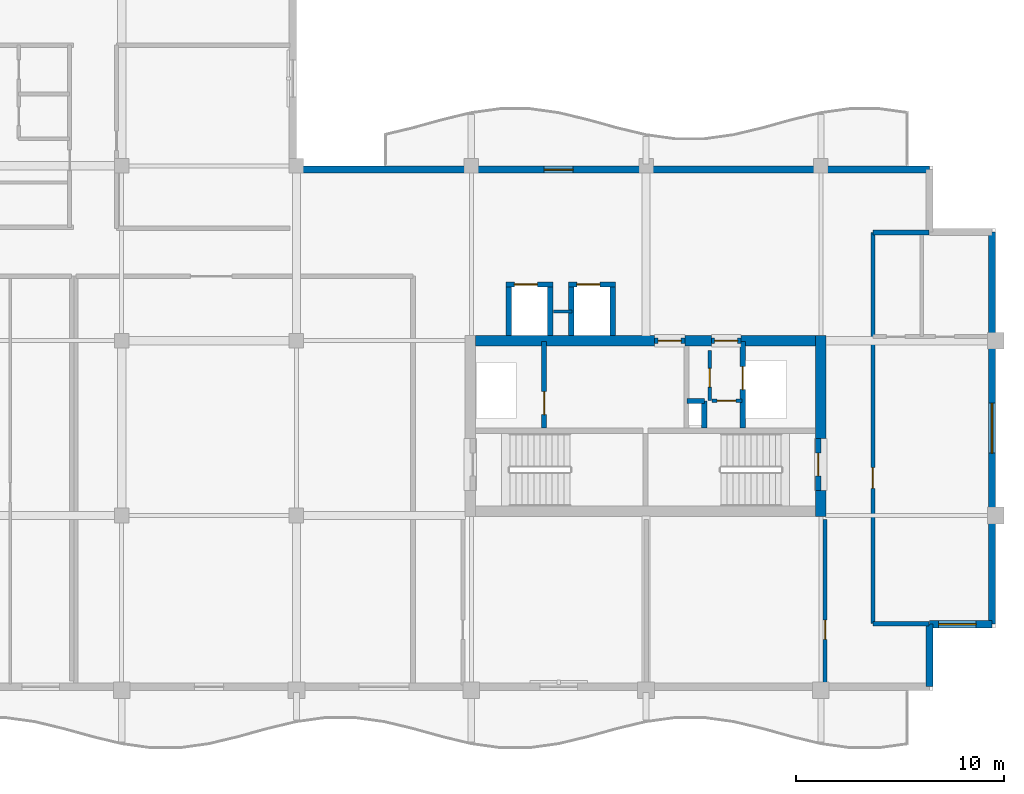
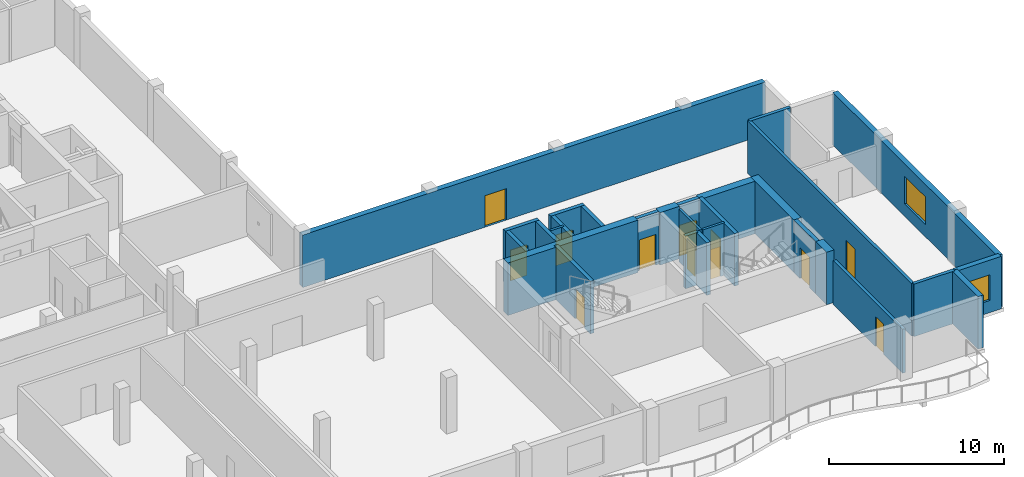
# One storey, part 4 of 11: 29 walls, 12 doors, 2 windows, 14 openings.
"""IFC4 building model written with IfcOpenShell, lengths in metres."""

from ifc_helpers import new_model, si_unit, direction, frame, frame_2d, origin, place, context, subcontext, project, spatial, rectangle, extrude, material, layer, layer_set, type_object, element, fill, save


model = new_model("IFC4")

# Units and contexts
model_context = context("Model", 3, precision=1e-05, world=origin(), true_north=direction((0.0, 1.0)))
body_context = subcontext(model_context, "Body", "Model", "MODEL_VIEW")
ifc_project = project(units=[si_unit("LENGTHUNIT", "METRE"), si_unit("AREAUNIT", "SQUARE_METRE"), si_unit("VOLUMEUNIT", "CUBIC_METRE"), si_unit("PLANEANGLEUNIT", "RADIAN"), si_unit("MASSUNIT", "GRAM", prefix="KILO")], contexts=[model_context])

# Site, building, storey
site_placement = place(None, origin())
site = spatial("IfcSite", under=ifc_project, at=site_placement, CompositionType="ELEMENT")
building_placement = place(site_placement, origin())
building = spatial("IfcBuilding", under=site, at=building_placement, Name="Koriwani Terraces Tower", CompositionType="ELEMENT")
storey_placement = place(building_placement, frame((0.0, 0.0, 343.699951171875)))
storey = spatial("IfcBuildingStorey", under=building, at=storey_placement, Name="L85", CompositionType="ELEMENT", Elevation=343.699951171875)

# Walls
ifc_material_1 = material(Name="Concrete C50/60", Category="concrete")
ifc_layer_1 = layer(ifc_material_1, 0.5, Name="Concrete C50/60")
ifc_layer_set_1 = layer_set([ifc_layer_1], Name="Concrete C50/60")
wall_type_1 = type_object("IfcWallType", Name="WALL_CORE_RC_500", PredefinedType="SHEAR", material=ifc_layer_set_1)
wall_1_placement = place(storey_placement, frame((58.800048828125, 16.75, 0.0), z_axis=(0.0, 0.0, 1.0), x_axis=(0.0, 1.0, 0.0)))
element("IfcWall", 1, at=wall_1_placement, inside=storey, type_object=wall_type_1, Name="L85 East Split Core Shear Wall E1", PredefinedType="SHEAR", context=body_context, shape_type="SweptSolid", body=[
    extrude(rectangle(XDim=1.25, YDim=0.5, at=frame_2d((0.625, 0.0))), origin(), (0.0, 0.0, 1.0), 3.670166015625),
])
wall_2_placement = place(storey_placement, frame((58.800048828125, 20.5, 0.0), z_axis=(0.0, 0.0, 1.0), x_axis=(0.0, 1.0, 0.0)))
element("IfcWall", 2, at=wall_2_placement, inside=storey, type_object=wall_type_1, Name="L85 East Split Core Shear Wall E2", PredefinedType="SHEAR", context=body_context, shape_type="SweptSolid", body=[
    extrude(rectangle(XDim=4.949951171875, YDim=0.5, at=frame_2d((2.47509765625, 0.0))), origin(), (0.0, 0.0, 1.0), 3.670166015625),
])
wall_3_placement = place(storey_placement, frame((42.199951171875, 25.199951171875, 0.0), z_axis=(0.0, 0.0, 1.0), x_axis=(1.0, 0.0, 0.0)))
element("IfcWall", 3, at=wall_3_placement, inside=storey, type_object=wall_type_1, Name="L85 East Split Core Shear Wall N1", PredefinedType="SHEAR", context=body_context, shape_type="SweptSolid", body=[
    extrude(rectangle(XDim=8.60009765625, YDim=0.5, at=frame_2d((4.300048828125, 0.0))), origin(), (0.0, 0.0, 1.0), 3.670166015625),
])
wall_4_placement = place(storey_placement, frame((52.280029296875, 25.199951171875, 0.0), z_axis=(0.0, 0.0, 1.0), x_axis=(1.0, 0.0, 0.0)))
element("IfcWall", 4, at=wall_4_placement, inside=storey, type_object=wall_type_1, Name="L85 East Split Core Shear Wall N2", PredefinedType="SHEAR", context=body_context, shape_type="SweptSolid", body=[
    extrude(rectangle(XDim=1.27001953125, YDim=0.5, at=frame_2d((0.635009765625, 0.0))), origin(), (0.0, 0.0, 1.0), 3.670166015625),
])
wall_5_placement = place(storey_placement, frame((54.949951171875, 25.199951171875, 0.0), z_axis=(0.0, 0.0, 1.0), x_axis=(1.0, 0.0, 0.0)))
element("IfcWall", 5, at=wall_5_placement, inside=storey, type_object=wall_type_1, Name="L85 East Split Core Shear Wall N3", PredefinedType="SHEAR", context=body_context, shape_type="SweptSolid", body=[
    extrude(rectangle(XDim=3.60009765625, YDim=0.5, at=frame_2d((1.800048828125, 0.0))), origin(), (0.0, 0.0, 1.0), 3.670166015625),
])

# Wall, opening, door
ifc_material_2 = material(Name="Autoclaved Cellular Concrete Blockwork", Category="masonry")
ifc_layer_2 = layer(ifc_material_2, 0.199951171875, Name="Autoclaved Cellular Concrete Blockwork")
ifc_layer_set_2 = layer_set([ifc_layer_2], Name="Autoclaved Cellular Concrete Blockwork")
wall_type_2 = type_object("IfcWallType", Name="WALL_CORRIDOR_200", PredefinedType="PARTITIONING", material=ifc_layer_set_2)
wall_6_placement = place(storey_placement, frame((59.0, 8.64990234375, 0.0), z_axis=(0.0, 0.0, 1.0), x_axis=(0.0, 1.0, 0.0)))
wall_6 = element("IfcWall", 6, at=wall_6_placement, inside=storey, type_object=wall_type_2, Name="L85 Interior Wall WRZ4-EE-L85", PredefinedType="PARTITIONING", context=body_context, shape_type="SweptSolid", body=[
    extrude(rectangle(XDim=7.9501953125, YDim=0.199951171875, at=frame_2d((3.97509765625, 0.0))), origin(), (0.0, 0.0, 1.0), 3.070068359375),
])
opening_1_placement = place(wall_6_placement, frame((2.199951171875, 0.0, 0.0)))
opening_1 = element("IfcOpeningElement", 7, at=opening_1_placement, cuts=wall_6, Name="Opening D-06", PredefinedType="OPENING", context=body_context, shape_type="SweptSolid", body=[
    extrude(rectangle(XDim=0.919921875, YDim=2.10009765625, at=frame_2d((0.4599609375, 1.050048828125))), frame((0.0, 0.10986328125, 0.0), z_axis=(0.0, -1.0, 0.0), x_axis=(1.0, 0.0, 0.0)), (0.0, 0.0, 1.0), 0.219970703125),
])
ifc_material_3 = material(Name="Architectural Oak Fire Door", Category="wood")
door_type_1 = type_object("IfcDoorType", Name="DOOR_ROOM_INT_920X2100", OperationType="NOTDEFINED", PredefinedType="DOOR", material=ifc_material_3)
door_1_placement = place(opening_1_placement, origin())
door_1 = element("IfcDoor", 8, at=door_1_placement, inside=storey, type_object=door_type_1, Name="L85 Resident Laundry Room Door", OperationType="SINGLE_SWING_LEFT", OverallHeight=2.10009765625, OverallWidth=0.919921875, PredefinedType="DOOR", context=body_context, shape_type="SweptSolid", body=[
    extrude(rectangle(XDim=0.919921875, YDim=2.10009765625, at=frame_2d((0.4599609375, 1.050048828125))), frame((0.0, 0.02490234375, 0.0), z_axis=(0.0, -1.0, 0.0), x_axis=(1.0, 0.0, 0.0)), (0.0, 0.0, 1.0), 0.050048828125),
])
fill(opening_1, door_1)

wall_7_placement = place(storey_placement, frame((61.300048828125, 11.60009765625, 0.0), z_axis=(0.0, 0.0, 1.0), x_axis=(0.0, 1.0, 0.0)))
wall_7 = element("IfcWall", 9, at=wall_7_placement, inside=storey, type_object=wall_type_2, Name="L85 Interior Wall WET-W-L85", PredefinedType="PARTITIONING", context=body_context, shape_type="SweptSolid", body=[
    extrude(rectangle(XDim=18.7998046875, YDim=0.199951171875, at=frame_2d((9.39990234375, 0.0))), origin(), (0.0, 0.0, 1.0), 3.670166015625),
])
opening_2_placement = place(wall_7_placement, frame((6.5, 0.0, 0.0)))
opening_2 = element("IfcOpeningElement", 10, at=opening_2_placement, cuts=wall_7, Name="Opening D-05", PredefinedType="OPENING", context=body_context, shape_type="SweptSolid", body=[
    extrude(rectangle(XDim=1.0, YDim=2.14990234375, at=frame_2d((0.5, 1.074951171875))), frame((0.0, 0.10986328125, 0.0), z_axis=(0.0, -1.0, 0.0), x_axis=(1.0, 0.0, 0.0)), (0.0, 0.0, 1.0), 0.219970703125),
])
door_type_2 = type_object("IfcDoorType", Name="DOOR_SUITE_ENTRY_1000X2150", OperationType="NOTDEFINED", PredefinedType="DOOR", material=ifc_material_3)
door_2_placement = place(opening_2_placement, origin())
door_2 = element("IfcDoor", 11, at=door_2_placement, inside=storey, type_object=door_type_2, Name="Apartment 85ET Entrance Door", OperationType="SINGLE_SWING_LEFT", OverallHeight=2.14990234375, OverallWidth=1.0, PredefinedType="DOOR", context=body_context, shape_type="SweptSolid", body=[
    extrude(rectangle(XDim=1.0, YDim=2.14990234375, at=frame_2d((0.5, 1.074951171875))), frame((0.0, 0.02490234375, 0.0), z_axis=(0.0, -1.0, 0.0), x_axis=(1.0, 0.0, 0.0)), (0.0, 0.0, 1.0), 0.050048828125),
])
fill(opening_2, door_2)

# Walls
ifc_layer_3 = layer(ifc_material_2, 0.219970703125, Name="Autoclaved Cellular Concrete Blockwork")
ifc_layer_set_3 = layer_set([ifc_layer_3], Name="Autoclaved Cellular Concrete Blockwork")
wall_type_3 = type_object("IfcWallType", Name="WALL_DEMISING_220", PredefinedType="PARTITIONING", material=ifc_layer_set_3)
for number, where, z_axis, x_axis, name in (
    (12, (61.300048828125, 11.60009765625, 0.0), (0.0, 0.0, 1.0), (1.0, 0.0, 0.0), "L85 Interior Wall WET-S-L85"),
    (13, (61.300048828125, 30.39990234375, 0.0), (0.0, 0.0, 1.0), (1.0, 0.0, 0.0), "L85 Interior Wall WET-N-L85"),
):
    element("IfcWall", number, at=place(storey_placement, frame(where, z_axis=z_axis, x_axis=x_axis)), inside=storey, type_object=wall_type_3, Name=name, PredefinedType="PARTITIONING", context=body_context, shape_type="SweptSolid", body=[
        extrude(rectangle(XDim=2.699951171875, YDim=0.219970703125, at=frame_2d((1.35009765625, 0.0))), origin(), (0.0, 0.0, 1.0), 3.670166015625),
    ])

# Wall, opening, door
ifc_layer_4 = layer(ifc_material_1, 0.35009765625, Name="Concrete C50/60")
ifc_layer_set_4 = layer_set([ifc_layer_4], Name="Concrete C50/60")
wall_type_4 = type_object("IfcWallType", Name="WALL_EXT_BRUTALIST_350", PredefinedType="STANDARD", material=ifc_layer_set_4)
wall_8_placement = place(storey_placement, frame((33.425048828125, 33.425048828125, 0.0), z_axis=(0.0, 0.0, 1.0), x_axis=(1.0, 0.0, 0.0)))
wall_8 = element("IfcWall", 14, at=wall_8_placement, inside=storey, type_object=wall_type_4, Name="L85 Fair-Faced Brutalist Exterior Wall (NE)", PredefinedType="STANDARD", context=body_context, shape_type="SweptSolid", body=[
    extrude(rectangle(XDim=30.599853515625, YDim=0.35009765625, at=frame_2d((15.2998046875, 0.0))), origin(), (0.0, 0.0, 1.0), 3.670166015625),
])
opening_3_placement = place(wall_8_placement, frame((12.074951171875, 0.0, 0.0)))
opening_3 = element("IfcOpeningElement", 15, at=opening_3_placement, cuts=wall_8, Name="Opening D-09", PredefinedType="OPENING", context=body_context, shape_type="SweptSolid", body=[
    extrude(rectangle(XDim=1.39990234375, YDim=2.199951171875, at=frame_2d((0.699951171875, 1.10009765625))), frame((0.0, 0.18505859375, 0.0), z_axis=(0.0, -1.0, 0.0), x_axis=(1.0, 0.0, 0.0)), (0.0, 0.0, 1.0), 0.3701171875),
])
ifc_material_4 = material(Name="Anodised Bronze Aluminium", Category="aluminium")
door_type_3 = type_object("IfcDoorType", Name="DOOR_BALCONY_GLAZED_1400X2200", OperationType="NOTDEFINED", PredefinedType="DOOR", material=ifc_material_4)
door_3_placement = place(opening_3_placement, origin())
door_3 = element("IfcDoor", 16, at=door_3_placement, inside=storey, type_object=door_type_3, Name="L85 Inner Court Balcony Glazed Door", OperationType="SINGLE_SWING_LEFT", OverallHeight=2.199951171875, OverallWidth=1.39990234375, PredefinedType="DOOR", context=body_context, shape_type="SweptSolid", body=[
    extrude(rectangle(XDim=1.39990234375, YDim=2.199951171875, at=frame_2d((0.699951171875, 1.10009765625))), frame((0.0, 0.02490234375, 0.0), z_axis=(0.0, -1.0, 0.0), x_axis=(1.0, 0.0, 0.0)), (0.0, 0.0, 1.0), 0.050048828125),
])
fill(opening_3, door_3)

# Wall, opening, window
wall_9_placement = place(storey_placement, frame((67.02490234375, 30.425048828125, 0.0), z_axis=(0.0, 0.0, 1.0), x_axis=(0.0, -1.0, 0.0)))
wall_9 = element("IfcWall", 17, at=wall_9_placement, inside=storey, type_object=wall_type_4, Name="L85 Fair-Faced Brutalist Exterior Wall (E_TIP)", PredefinedType="STANDARD", context=body_context, shape_type="SweptSolid", body=[
    extrude(rectangle(XDim=18.85009765625, YDim=0.35009765625, at=frame_2d((9.425048828125, 0.0))), origin(), (0.0, 0.0, 1.0), 3.670166015625),
])
opening_4_placement = place(wall_9_placement, frame((8.22509765625, 0.0, 0.85009765625)))
opening_4 = element("IfcOpeningElement", 18, at=opening_4_placement, cuts=wall_9, Name="Opening W-03", PredefinedType="OPENING", context=body_context, shape_type="SweptSolid", body=[
    extrude(rectangle(XDim=2.39990234375, YDim=1.949951171875, at=frame_2d((1.199951171875, 0.97509765625))), frame((0.0, 0.18505859375, 0.0), z_axis=(0.0, -1.0, 0.0), x_axis=(1.0, 0.0, 0.0)), (0.0, 0.0, 1.0), 0.3701171875),
])
ifc_material_5 = material(Name="Tempered Laminated Low-E Glass", Category="glass")
window_type_1 = type_object("IfcWindowType", Name="WIN_RES_LIVING_2400X1950", PartitioningType="DOUBLE_PANEL_VERTICAL", PredefinedType="WINDOW", material=ifc_material_5)
window_1_placement = place(opening_4_placement, origin())
window_1 = element("IfcWindow", 19, at=window_1_placement, inside=storey, type_object=window_type_1, Name="L85 Exterior Window (E_TIP-3)", OverallHeight=1.949951171875, OverallWidth=2.39990234375, PartitioningType="SINGLE_PANEL", PredefinedType="WINDOW", context=body_context, shape_type="SweptSolid", body=[
    extrude(rectangle(XDim=2.39990234375, YDim=1.949951171875, at=frame_2d((1.199951171875, 0.97509765625))), frame((0.0, 0.030029296875, 0.0), z_axis=(0.0, -1.0, 0.0), x_axis=(1.0, 0.0, 0.0)), (0.0, 0.0, 1.0), 0.06005859375),
])
fill(opening_4, window_1)

wall_10_placement = place(storey_placement, frame((67.02490234375, 11.574951171875, 0.0), z_axis=(0.0, 0.0, 1.0), x_axis=(-1.0, 0.0, 0.0)))
wall_10 = element("IfcWall", 20, at=wall_10_placement, inside=storey, type_object=wall_type_4, Name="L85 Fair-Faced Brutalist Exterior Wall (N13)", PredefinedType="STANDARD", context=body_context, shape_type="SweptSolid", body=[
    extrude(rectangle(XDim=3.0, YDim=0.35009765625, at=frame_2d((1.5, 0.0))), origin(), (0.0, 0.0, 1.0), 3.670166015625),
])
opening_5_placement = place(wall_10_placement, frame((0.762451171875, 0.0, 0.85009765625)))
opening_5 = element("IfcOpeningElement", 21, at=opening_5_placement, cuts=wall_10, Name="Opening W-04", PredefinedType="OPENING", context=body_context, shape_type="SweptSolid", body=[
    extrude(rectangle(XDim=1.800048828125, YDim=1.800048828125, at=frame_2d((0.89990234375, 0.89990234375))), frame((0.0, 0.18505859375, 0.0), z_axis=(0.0, -1.0, 0.0), x_axis=(1.0, 0.0, 0.0)), (0.0, 0.0, 1.0), 0.3701171875),
])
window_type_2 = type_object("IfcWindowType", Name="WIN_RES_BED_1800X1800", PartitioningType="DOUBLE_PANEL_VERTICAL", PredefinedType="WINDOW", material=ifc_material_5)
window_2_placement = place(opening_5_placement, origin())
window_2 = element("IfcWindow", 22, at=window_2_placement, inside=storey, type_object=window_type_2, Name="L85 Exterior Window (N13-R47)", OverallHeight=1.800048828125, OverallWidth=1.800048828125, PartitioningType="SINGLE_PANEL", PredefinedType="WINDOW", context=body_context, shape_type="SweptSolid", body=[
    extrude(rectangle(XDim=1.800048828125, YDim=1.800048828125, at=frame_2d((0.89990234375, 0.89990234375))), frame((0.0, 0.030029296875, 0.0), z_axis=(0.0, -1.0, 0.0), x_axis=(1.0, 0.0, 0.0)), (0.0, 0.0, 1.0), 0.06005859375),
])
fill(opening_5, window_2)

# Wall
wall_11_placement = place(storey_placement, frame((64.02490234375, 11.574951171875, 0.0), z_axis=(0.0, 0.0, 1.0), x_axis=(0.0, -1.0, 0.0)))
element("IfcWall", 23, at=wall_11_placement, inside=storey, type_object=wall_type_4, Name="L85 Fair-Faced Brutalist Exterior Wall (N14)", PredefinedType="STANDARD", context=body_context, shape_type="SweptSolid", body=[
    extrude(rectangle(XDim=3.0, YDim=0.35009765625, at=frame_2d((1.5, 0.0))), origin(), (0.0, 0.0, 1.0), 3.670166015625),
])

# Wall, opening, door
ifc_material_6 = material(Name="Concrete C40/50", Category="concrete")
ifc_layer_5 = layer(ifc_material_6, 0.25, Name="Concrete C40/50")
ifc_layer_set_5 = layer_set([ifc_layer_5], Name="Concrete C40/50")
wall_type_5 = type_object("IfcWallType", Name="WALL_SHAFT_RATED_250", PredefinedType="SOLIDWALL", material=ifc_layer_set_5)
wall_12_placement = place(storey_placement, frame((58.675048828125, 18.0, 0.0), z_axis=(0.0, 0.0, 1.0), x_axis=(0.0, 1.0, 0.0)))
wall_12 = element("IfcWall", 24, at=wall_12_placement, inside=storey, type_object=wall_type_5, Name="L85 Interior Wall WIN-CE-L85-STE", PredefinedType="SOLIDWALL", context=body_context, shape_type="SweptSolid", body=[
    extrude(rectangle(XDim=2.5, YDim=0.25, at=frame_2d((1.25, 0.0))), origin(), (0.0, 0.0, 1.0), 3.670166015625),
])
opening_6_placement = place(wall_12_placement, frame((0.699951171875, 0.0, 0.0)))
opening_6 = element("IfcOpeningElement", 25, at=opening_6_placement, cuts=wall_12, Name="Opening D-03", PredefinedType="OPENING", context=body_context, shape_type="SweptSolid", body=[
    extrude(rectangle(XDim=1.10009765625, YDim=2.14990234375, at=frame_2d((0.550048828125, 1.074951171875))), frame((0.0, 0.135009765625, 0.0), z_axis=(0.0, -1.0, 0.0), x_axis=(1.0, 0.0, 0.0)), (0.0, 0.0, 1.0), 0.27001953125),
])
ifc_material_7 = material(Name="Steel ASTM A572 Grade 50", Category="steel")
door_type_4 = type_object("IfcDoorType", Name="DOOR_STAIR_FIRE_1100X2150", OperationType="NOTDEFINED", PredefinedType="DOOR", material=ifc_material_7)
door_4_placement = place(opening_6_placement, origin())
door_4 = element("IfcDoor", 26, at=door_4_placement, inside=storey, type_object=door_type_4, Name="L85 Exit Stair ST-E2 Door", OperationType="SINGLE_SWING_RIGHT", OverallHeight=2.14990234375, OverallWidth=1.10009765625, PredefinedType="DOOR", context=body_context, shape_type="SweptSolid", body=[
    extrude(rectangle(XDim=1.10009765625, YDim=2.14990234375, at=frame_2d((0.550048828125, 1.074951171875))), frame((0.0, 0.02490234375, 0.0), z_axis=(0.0, -1.0, 0.0), x_axis=(1.0, 0.0, 0.0)), (0.0, 0.0, 1.0), 0.050048828125),
])
fill(opening_6, door_4)

wall_13_placement = place(storey_placement, frame((45.5, 21.0, 0.0), z_axis=(0.0, 0.0, 1.0), x_axis=(0.0, 1.0, 0.0)))
wall_13 = element("IfcWall", 27, at=wall_13_placement, inside=storey, type_object=wall_type_5, Name="L85 Interior Wall WIN-CE-L85-FE", PredefinedType="SOLIDWALL", context=body_context, shape_type="SweptSolid", body=[
    extrude(rectangle(XDim=4.14990234375, YDim=0.25, at=frame_2d((2.074951171875, 0.0))), origin(), (0.0, 0.0, 1.0), 3.670166015625),
])
opening_7_placement = place(wall_13_placement, frame((0.64990234375, 0.0, 0.0)))
opening_7 = element("IfcOpeningElement", 28, at=opening_7_placement, cuts=wall_13, Name="Opening LD-01", PredefinedType="OPENING", context=body_context, shape_type="SweptSolid", body=[
    extrude(rectangle(XDim=1.10009765625, YDim=2.14990234375, at=frame_2d((0.550048828125, 1.074951171875))), frame((0.0, 0.135009765625, 0.0), z_axis=(0.0, -1.0, 0.0), x_axis=(1.0, 0.0, 0.0)), (0.0, 0.0, 1.0), 0.27001953125),
])
door_type_5 = type_object("IfcDoorType", Name="DOOR_LIFT_LANDING_1100X2200", OperationType="NOTDEFINED", PredefinedType="DOOR", material=ifc_material_7)
door_5_placement = place(opening_7_placement, origin())
door_5 = element("IfcDoor", 29, at=door_5_placement, inside=storey, type_object=door_type_5, Name="L85 Firefighting Lift FE-02 Landing Door", OperationType="SLIDING_TO_LEFT", OverallHeight=2.14990234375, OverallWidth=1.10009765625, PredefinedType="DOOR", context=body_context, shape_type="SweptSolid", body=[
    extrude(rectangle(XDim=1.10009765625, YDim=2.14990234375, at=frame_2d((0.550048828125, 1.074951171875))), frame((0.0, 0.02490234375, 0.0), z_axis=(0.0, -1.0, 0.0), x_axis=(1.0, 0.0, 0.0)), (0.0, 0.0, 1.0), 0.050048828125),
])
fill(opening_7, door_5)

wall_14_placement = place(storey_placement, frame((50.800048828125, 25.199951171875, 0.0), z_axis=(0.0, 0.0, 1.0), x_axis=(1.0, 0.0, 0.0)))
wall_14 = element("IfcWall", 30, at=wall_14_placement, inside=storey, type_object=wall_type_5, Name="L85 Interior Wall WIN-CE-L85-NP", PredefinedType="SOLIDWALL", context=body_context, shape_type="SweptSolid", body=[
    extrude(rectangle(XDim=1.47998046875, YDim=0.25, at=frame_2d((0.739990234375, 0.0))), origin(), (0.0, 0.0, 1.0), 3.670166015625),
])
opening_8_placement = place(wall_14_placement, frame((0.179931640625, 0.0, 0.0)))
opening_8 = element("IfcOpeningElement", 31, at=opening_8_placement, cuts=wall_14, Name="Opening D-03", PredefinedType="OPENING", context=body_context, shape_type="SweptSolid", body=[
    extrude(rectangle(XDim=1.10009765625, YDim=2.14990234375, at=frame_2d((0.550048828125, 1.074951171875))), frame((0.0, 0.135009765625, 0.0), z_axis=(0.0, -1.0, 0.0), x_axis=(1.0, 0.0, 0.0)), (0.0, 0.0, 1.0), 0.27001953125),
])
door_6_placement = place(opening_8_placement, origin())
door_6 = element("IfcDoor", 32, at=door_6_placement, inside=storey, type_object=door_type_4, Name="L85 East Firefighting Lobby Door", OperationType="SINGLE_SWING_LEFT", OverallHeight=2.14990234375, OverallWidth=1.10009765625, PredefinedType="DOOR", context=body_context, shape_type="SweptSolid", body=[
    extrude(rectangle(XDim=1.10009765625, YDim=2.14990234375, at=frame_2d((0.550048828125, 1.074951171875))), frame((0.0, 0.02490234375, 0.0), z_axis=(0.0, -1.0, 0.0), x_axis=(1.0, 0.0, 0.0)), (0.0, 0.0, 1.0), 0.050048828125),
])
fill(opening_8, door_6)

wall_15_placement = place(storey_placement, frame((55.050048828125, 21.0, 0.0), z_axis=(0.0, 0.0, 1.0), x_axis=(0.0, 1.0, 0.0)))
wall_15 = element("IfcWall", 33, at=wall_15_placement, inside=storey, type_object=wall_type_5, Name="L85 Interior Wall WIN-CE-L85-SE", PredefinedType="SOLIDWALL", context=body_context, shape_type="SweptSolid", body=[
    extrude(rectangle(XDim=4.14990234375, YDim=0.25, at=frame_2d((2.074951171875, 0.0))), origin(), (0.0, 0.0, 1.0), 3.670166015625),
])
opening_9_placement = place(wall_15_placement, frame((1.85009765625, 0.0, 0.0)))
opening_9 = element("IfcOpeningElement", 34, at=opening_9_placement, cuts=wall_15, Name="Opening LD-01", PredefinedType="OPENING", context=body_context, shape_type="SweptSolid", body=[
    extrude(rectangle(XDim=1.10009765625, YDim=2.14990234375, at=frame_2d((0.550048828125, 1.074951171875))), frame((0.0, 0.135009765625, 0.0), z_axis=(0.0, -1.0, 0.0), x_axis=(1.0, 0.0, 0.0)), (0.0, 0.0, 1.0), 0.27001953125),
])
door_7_placement = place(opening_9_placement, origin())
door_7 = element("IfcDoor", 35, at=door_7_placement, inside=storey, type_object=door_type_5, Name="L85 Goods Lift SE-02 Landing Door", OperationType="SLIDING_TO_LEFT", OverallHeight=2.14990234375, OverallWidth=1.10009765625, PredefinedType="DOOR", context=body_context, shape_type="SweptSolid", body=[
    extrude(rectangle(XDim=1.10009765625, YDim=2.14990234375, at=frame_2d((0.550048828125, 1.074951171875))), frame((0.0, 0.02490234375, 0.0), z_axis=(0.0, -1.0, 0.0), x_axis=(1.0, 0.0, 0.0)), (0.0, 0.0, 1.0), 0.050048828125),
])
fill(opening_9, door_7)

wall_16_placement = place(storey_placement, frame((53.550048828125, 25.199951171875, 0.0), z_axis=(0.0, 0.0, 1.0), x_axis=(1.0, 0.0, 0.0)))
wall_16 = element("IfcWall", 36, at=wall_16_placement, inside=storey, type_object=wall_type_5, Name="L85 Interior Wall WIN-CE-L85-NP2", PredefinedType="SOLIDWALL", context=body_context, shape_type="SweptSolid", body=[
    extrude(rectangle(XDim=1.39990234375, YDim=0.25, at=frame_2d((0.699951171875, 0.0))), origin(), (0.0, 0.0, 1.0), 3.670166015625),
])
opening_10_placement = place(wall_16_placement, frame((0.14990234375, 0.0, 0.0)))
opening_10 = element("IfcOpeningElement", 37, at=opening_10_placement, cuts=wall_16, Name="Opening D-03", PredefinedType="OPENING", context=body_context, shape_type="SweptSolid", body=[
    extrude(rectangle(XDim=1.10009765625, YDim=2.14990234375, at=frame_2d((0.550048828125, 1.074951171875))), frame((0.0, 0.135009765625, 0.0), z_axis=(0.0, -1.0, 0.0), x_axis=(1.0, 0.0, 0.0)), (0.0, 0.0, 1.0), 0.27001953125),
])
door_8_placement = place(opening_10_placement, origin())
door_8 = element("IfcDoor", 38, at=door_8_placement, inside=storey, type_object=door_type_4, Name="L85 East Goods Lift Lobby Door", OperationType="SINGLE_SWING_RIGHT", OverallHeight=2.14990234375, OverallWidth=1.10009765625, PredefinedType="DOOR", context=body_context, shape_type="SweptSolid", body=[
    extrude(rectangle(XDim=1.10009765625, YDim=2.14990234375, at=frame_2d((0.550048828125, 1.074951171875))), frame((0.0, 0.02490234375, 0.0), z_axis=(0.0, -1.0, 0.0), x_axis=(1.0, 0.0, 0.0)), (0.0, 0.0, 1.0), 0.050048828125),
])
fill(opening_10, door_8)

# Walls
wall_17_placement = place(storey_placement, frame((53.199951171875, 21.0, 0.0), z_axis=(0.0, 0.0, 1.0), x_axis=(0.0, 1.0, 0.0)))
element("IfcWall", 39, at=wall_17_placement, inside=storey, type_object=wall_type_5, Name="L85 Interior Wall WIN-CE-L85-RS1", PredefinedType="SOLIDWALL", context=body_context, shape_type="SweptSolid", body=[
    extrude(rectangle(XDim=1.300048828125, YDim=0.25, at=frame_2d((0.64990234375, 0.0))), origin(), (0.0, 0.0, 1.0), 3.670166015625),
])
wall_18_placement = place(storey_placement, frame((52.360107421875, 22.300048828125, 0.0), z_axis=(0.0, 0.0, 1.0), x_axis=(1.0, 0.0, 0.0)))
element("IfcWall", 40, at=wall_18_placement, inside=storey, type_object=wall_type_5, Name="L85 Interior Wall WIN-CE-L85-RS2", PredefinedType="SOLIDWALL", context=body_context, shape_type="SweptSolid", body=[
    extrude(rectangle(XDim=0.83984375, YDim=0.25, at=frame_2d((0.419921875, 0.0))), origin(), (0.0, 0.0, 1.0), 3.670166015625),
])

# Wall, opening, door
wall_19_placement = place(storey_placement, frame((43.675048828125, 27.89990234375, 0.0), z_axis=(0.0, 0.0, 1.0), x_axis=(1.0, 0.0, 0.0)))
wall_19 = element("IfcWall", 41, at=wall_19_placement, inside=storey, type_object=wall_type_5, Name="L85 Interior Wall WIN-LF-PE-H3-L85-F", PredefinedType="SOLIDWALL", context=body_context, shape_type="SweptSolid", body=[
    extrude(rectangle(XDim=2.25, YDim=0.25, at=frame_2d((1.125, 0.0))), origin(), (0.0, 0.0, 1.0), 3.670166015625),
])
opening_11_placement = place(wall_19_placement, frame((0.39990234375, 0.0, 0.0)))
opening_11 = element("IfcOpeningElement", 42, at=opening_11_placement, cuts=wall_19, Name="Opening LD-01", PredefinedType="OPENING", context=body_context, shape_type="SweptSolid", body=[
    extrude(rectangle(XDim=1.10009765625, YDim=2.14990234375, at=frame_2d((0.550048828125, 1.074951171875))), frame((0.0, 0.135009765625, 0.0), z_axis=(0.0, -1.0, 0.0), x_axis=(1.0, 0.0, 0.0)), (0.0, 0.0, 1.0), 0.27001953125),
])
door_9_placement = place(opening_11_placement, origin())
door_9 = element("IfcDoor", 43, at=door_9_placement, inside=storey, type_object=door_type_5, Name="L85 Passenger Lift PE-H3 Landing Door", OperationType="SLIDING_TO_LEFT", OverallHeight=2.14990234375, OverallWidth=1.10009765625, PredefinedType="DOOR", context=body_context, shape_type="SweptSolid", body=[
    extrude(rectangle(XDim=1.10009765625, YDim=2.14990234375, at=frame_2d((0.550048828125, 1.074951171875))), frame((0.0, 0.02490234375, 0.0), z_axis=(0.0, -1.0, 0.0), x_axis=(1.0, 0.0, 0.0)), (0.0, 0.0, 1.0), 0.050048828125),
])
fill(opening_11, door_9)

# Walls
for number, where, z_axis, x_axis, name in (
    (44, (43.800048828125, 25.449951171875, 0.0), (0.0, 0.0, 1.0), (0.0, 1.0, 0.0), "L85 Interior Wall WIN-LF-PE-H3-L85-W"),
    (45, (45.800048828125, 25.449951171875, 0.0), (0.0, 0.0, 1.0), (0.0, 1.0, 0.0), "L85 Interior Wall WIN-LF-PE-H3-L85-E"),
):
    element("IfcWall", number, at=place(storey_placement, frame(where, z_axis=z_axis, x_axis=x_axis)), inside=storey, type_object=wall_type_5, Name=name, PredefinedType="SOLIDWALL", context=body_context, shape_type="SweptSolid", body=[
        extrude(rectangle(XDim=2.324951171875, YDim=0.25, at=frame_2d((1.16259765625, 0.0))), origin(), (0.0, 0.0, 1.0), 3.670166015625),
    ])

# Wall, opening, door
wall_20_placement = place(storey_placement, frame((46.675048828125, 27.89990234375, 0.0), z_axis=(0.0, 0.0, 1.0), x_axis=(1.0, 0.0, 0.0)))
wall_20 = element("IfcWall", 46, at=wall_20_placement, inside=storey, type_object=wall_type_5, Name="L85 Interior Wall WIN-LF-PE-H4-L85-F", PredefinedType="SOLIDWALL", context=body_context, shape_type="SweptSolid", body=[
    extrude(rectangle(XDim=2.25, YDim=0.25, at=frame_2d((1.125, 0.0))), origin(), (0.0, 0.0, 1.0), 3.670166015625),
])
opening_12_placement = place(wall_20_placement, frame((0.39990234375, 0.0, 0.0)))
opening_12 = element("IfcOpeningElement", 47, at=opening_12_placement, cuts=wall_20, Name="Opening LD-01", PredefinedType="OPENING", context=body_context, shape_type="SweptSolid", body=[
    extrude(rectangle(XDim=1.10009765625, YDim=2.14990234375, at=frame_2d((0.550048828125, 1.074951171875))), frame((0.0, 0.135009765625, 0.0), z_axis=(0.0, -1.0, 0.0), x_axis=(1.0, 0.0, 0.0)), (0.0, 0.0, 1.0), 0.27001953125),
])
door_10_placement = place(opening_12_placement, origin())
door_10 = element("IfcDoor", 48, at=door_10_placement, inside=storey, type_object=door_type_5, Name="L85 Passenger Lift PE-H4 Landing Door", OperationType="SLIDING_TO_LEFT", OverallHeight=2.14990234375, OverallWidth=1.10009765625, PredefinedType="DOOR", context=body_context, shape_type="SweptSolid", body=[
    extrude(rectangle(XDim=1.10009765625, YDim=2.14990234375, at=frame_2d((0.550048828125, 1.074951171875))), frame((0.0, 0.02490234375, 0.0), z_axis=(0.0, -1.0, 0.0), x_axis=(1.0, 0.0, 0.0)), (0.0, 0.0, 1.0), 0.050048828125),
])
fill(opening_12, door_10)

# Walls
for number, where, z_axis, x_axis, name in (
    (49, (46.800048828125, 25.449951171875, 0.0), (0.0, 0.0, 1.0), (0.0, 1.0, 0.0), "L85 Interior Wall WIN-LF-PE-H4-L85-W"),
    (50, (48.800048828125, 25.449951171875, 0.0), (0.0, 0.0, 1.0), (0.0, 1.0, 0.0), "L85 Interior Wall WIN-LF-PE-H4-L85-E"),
):
    element("IfcWall", number, at=place(storey_placement, frame(where, z_axis=z_axis, x_axis=x_axis)), inside=storey, type_object=wall_type_5, Name=name, PredefinedType="SOLIDWALL", context=body_context, shape_type="SweptSolid", body=[
        extrude(rectangle(XDim=2.324951171875, YDim=0.25, at=frame_2d((1.16259765625, 0.0))), origin(), (0.0, 0.0, 1.0), 3.670166015625),
    ])

# Wall, opening, door
ifc_material_8 = material(Name="Fire-Rated Acoustic Gypsum Partition", Category="masonry")
ifc_layer_6 = layer(ifc_material_8, 0.159912109375, Name="Fire-Rated Acoustic Gypsum Partition")
ifc_layer_set_6 = layer_set([ifc_layer_6], Name="Fire-Rated Acoustic Gypsum Partition")
wall_type_6 = type_object("IfcWallType", Name="WALL_SUITE_160", PredefinedType="PARTITIONING", material=ifc_layer_set_6)
wall_21_placement = place(storey_placement, frame((53.56005859375, 22.320068359375, 0.0), z_axis=(0.0, 0.0, 1.0), x_axis=(1.0, 0.0, 0.0)))
wall_21 = element("IfcWall", 51, at=wall_21_placement, inside=storey, type_object=wall_type_6, Name="L85 Interior Wall WIN-CE-L85-SV1A", PredefinedType="PARTITIONING", context=body_context, shape_type="SweptSolid", body=[
    extrude(rectangle(XDim=1.43994140625, YDim=0.159912109375, at=frame_2d((0.719970703125, 0.0))), origin(), (0.0, 0.0, 1.0), 3.670166015625),
])
opening_13_placement = place(wall_21_placement, frame((0.260009765625, 0.0, 0.0)))
opening_13 = element("IfcOpeningElement", 52, at=opening_13_placement, cuts=wall_21, Name="Opening D-07", PredefinedType="OPENING", context=body_context, shape_type="SweptSolid", body=[
    extrude(rectangle(XDim=0.89990234375, YDim=2.10009765625, at=frame_2d((0.449951171875, 1.050048828125))), frame((0.0, 0.08984375, 0.0), z_axis=(0.0, -1.0, 0.0), x_axis=(1.0, 0.0, 0.0)), (0.0, 0.0, 1.0), 0.179931640625),
])
door_type_6 = type_object("IfcDoorType", Name="DOOR_BATH_INT_900X2100", OperationType="NOTDEFINED", PredefinedType="DOOR", material=ifc_material_3)
door_11_placement = place(opening_13_placement, origin())
door_11 = element("IfcDoor", 53, at=door_11_placement, inside=storey, type_object=door_type_6, Name="L85 East Telecom Room Door", OperationType="SINGLE_SWING_LEFT", OverallHeight=2.10009765625, OverallWidth=0.89990234375, PredefinedType="DOOR", context=body_context, shape_type="SweptSolid", body=[
    extrude(rectangle(XDim=0.89990234375, YDim=2.10009765625, at=frame_2d((0.449951171875, 1.050048828125))), frame((0.0, 0.02490234375, 0.0), z_axis=(0.0, -1.0, 0.0), x_axis=(1.0, 0.0, 0.0)), (0.0, 0.0, 1.0), 0.050048828125),
])
fill(opening_13, door_11)

wall_22_placement = place(storey_placement, frame((53.4599609375, 22.320068359375, 0.0), z_axis=(0.0, 0.0, 1.0), x_axis=(0.0, 1.0, 0.0)))
wall_22 = element("IfcWall", 54, at=wall_22_placement, inside=storey, type_object=wall_type_6, Name="L85 Interior Wall WIN-CE-L85-SV1B", PredefinedType="PARTITIONING", context=body_context, shape_type="SweptSolid", body=[
    extrude(rectangle(XDim=2.39990234375, YDim=0.159912109375, at=frame_2d((1.199951171875, 0.0))), origin(), (0.0, 0.0, 1.0), 3.670166015625),
])
opening_14_placement = place(wall_22_placement, frame((0.64990234375, 0.0, 0.0)))
opening_14 = element("IfcOpeningElement", 55, at=opening_14_placement, cuts=wall_22, Name="Opening D-07", PredefinedType="OPENING", context=body_context, shape_type="SweptSolid", body=[
    extrude(rectangle(XDim=0.89990234375, YDim=2.10009765625, at=frame_2d((0.449951171875, 1.050048828125))), frame((0.0, 0.08984375, 0.0), z_axis=(0.0, -1.0, 0.0), x_axis=(1.0, 0.0, 0.0)), (0.0, 0.0, 1.0), 0.179931640625),
])
door_12_placement = place(opening_14_placement, origin())
door_12 = element("IfcDoor", 56, at=door_12_placement, inside=storey, type_object=door_type_6, Name="L85 East Cleaners Closet Door", OperationType="SINGLE_SWING_RIGHT", OverallHeight=2.10009765625, OverallWidth=0.89990234375, PredefinedType="DOOR", context=body_context, shape_type="SweptSolid", body=[
    extrude(rectangle(XDim=0.89990234375, YDim=2.10009765625, at=frame_2d((0.449951171875, 1.050048828125))), frame((0.0, 0.02490234375, 0.0), z_axis=(0.0, -1.0, 0.0), x_axis=(1.0, 0.0, 0.0)), (0.0, 0.0, 1.0), 0.050048828125),
])
fill(opening_14, door_12)

# Wall
wall_23_placement = place(storey_placement, frame((45.9599609375, 26.60009765625, 0.0), z_axis=(0.0, 0.0, 1.0), x_axis=(1.0, 0.0, 0.0)))
element("IfcWall", 57, at=wall_23_placement, inside=storey, type_object=wall_type_6, Name="L85 Interior Wall WIN-LF-PEH34-MID-L85", PredefinedType="PARTITIONING", context=body_context, shape_type="SweptSolid", body=[
    extrude(rectangle(XDim=0.880126953125, YDim=0.159912109375, at=frame_2d((0.43994140625, 0.0))), origin(), (0.0, 0.0, 1.0), 3.670166015625),
])

save(model, "model.ifc")
